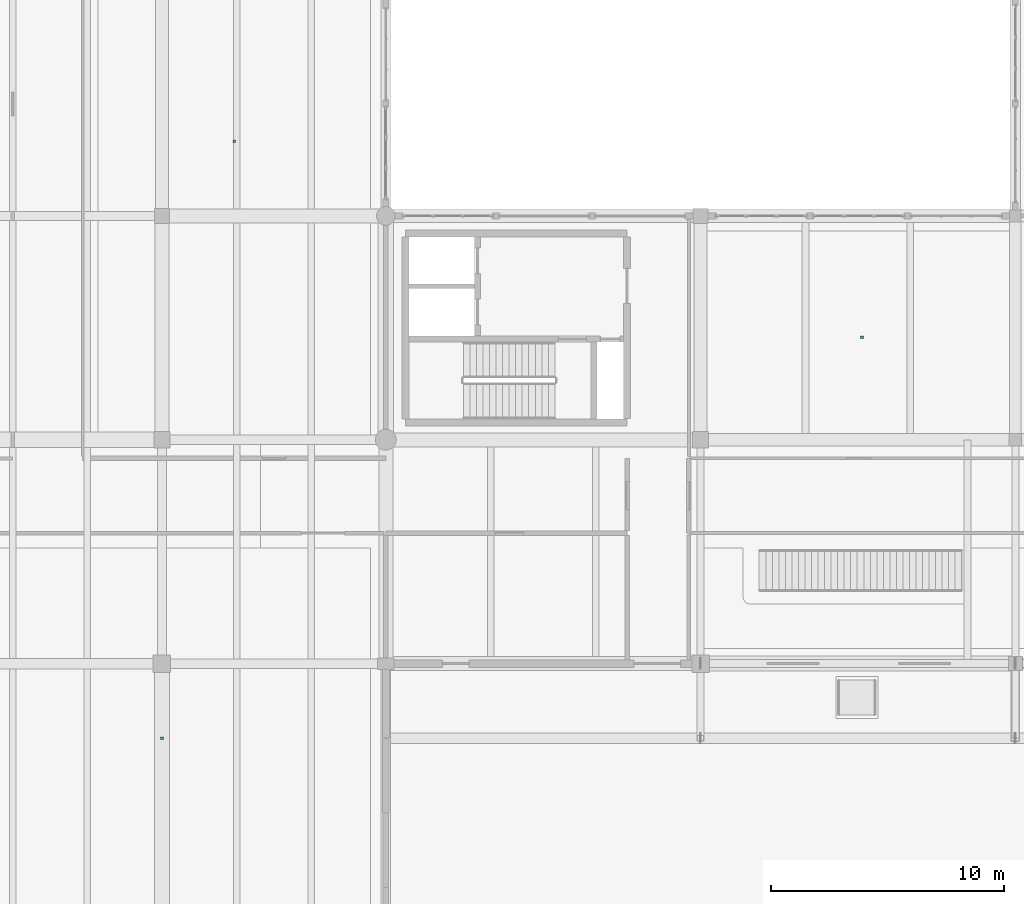
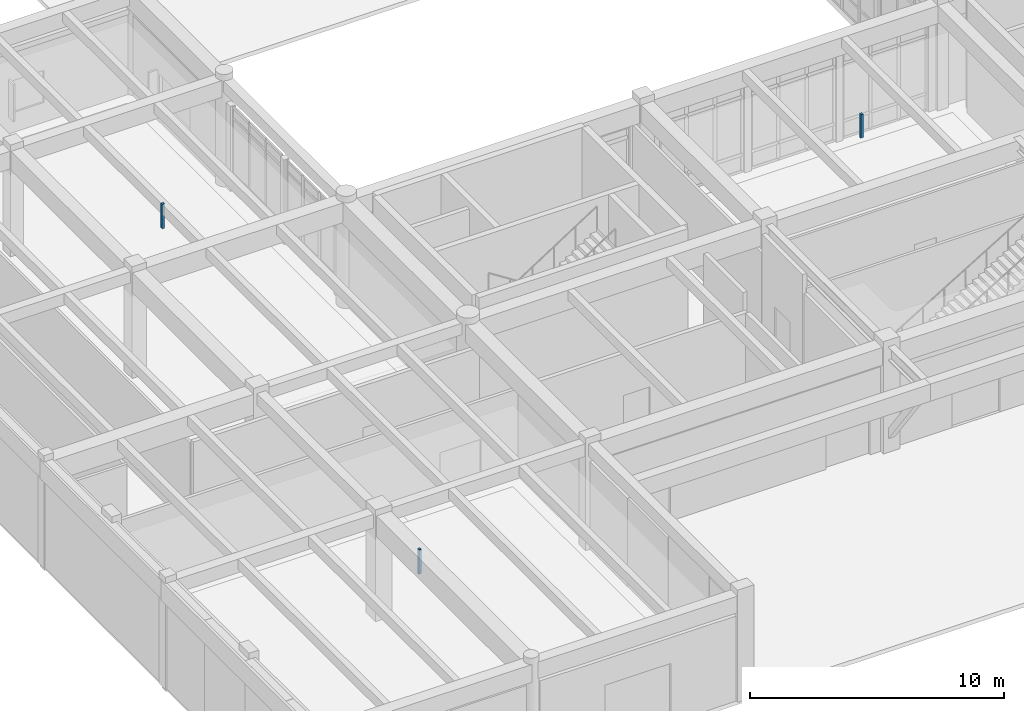
# One storey, part 119 of 138: 3 discrete accessories.
"""IFC4 building model written with IfcOpenShell, lengths in metres."""

from ifc_helpers import new_model, si_unit, direction, frame, origin, origin_2d, place, context, subcontext, project, spatial, rectangle, extrude, material, type_object, element, save


model = new_model("IFC4")

# Units and contexts
model_context = context("Model", 3, precision=1e-05, world=origin(), true_north=direction((0.0, 1.0)))
body_context = subcontext(model_context, "Body", "Model", "MODEL_VIEW")
ifc_project = project(units=[si_unit("LENGTHUNIT", "METRE"), si_unit("AREAUNIT", "SQUARE_METRE"), si_unit("VOLUMEUNIT", "CUBIC_METRE"), si_unit("PLANEANGLEUNIT", "RADIAN"), si_unit("MASSUNIT", "GRAM", prefix="KILO")], contexts=[model_context])

# Site, building, storey
site_placement = place(None, origin())
site = spatial("IfcSite", under=ifc_project, at=site_placement, CompositionType="ELEMENT")
building_placement = place(site_placement, origin())
building = spatial("IfcBuilding", under=site, at=building_placement, Name="Fikremerkos Civic Library", CompositionType="ELEMENT")
storey_placement = place(building_placement, origin())
storey = spatial("IfcBuildingStorey", under=building, at=storey_placement, Name="L00", CompositionType="ELEMENT", Elevation=0.0)

# Discrete accessories
ifc_material = material(Name="Galvanized Steel S275", Category="steel")
discrete_accessory_type = type_object("IfcDiscreteAccessoryType", Name="Ceiling hanger bracket BRK-01", PredefinedType="BRACKET", material=ifc_material)
discrete_accessory_placement = place(storey_placement, frame((39.625, 26.0, 3.969970703125), z_axis=(0.0, 0.0, 1.0), x_axis=(1.0, 0.0, 0.0)))
element("IfcDiscreteAccessory", 1, at=discrete_accessory_placement, inside=storey, type_object=discrete_accessory_type, Name="Acoustic ceiling hanger bracket #20", PredefinedType="BRACKET", context=body_context, shape_type="SweptSolid", body=[
    extrude(rectangle(XDim=0.1201171875, YDim=0.1201171875, at=origin_2d()), origin(), (0.0, 0.0, 1.0), 1.1298828125),
])
for number, where, z_axis, x_axis, name in (
    (2, (9.60009765625, 8.800048828125, 3.93994140625), (0.0, 0.0, 1.0), (1.0, 0.0, 0.0), "Acoustic ceiling hanger bracket #24"),
    (3, (12.699951171875, 34.39990234375, 3.93994140625), (0.0, 0.0, 1.0), (1.0, 0.0, 0.0), "Acoustic ceiling hanger bracket #25"),
):
    element("IfcDiscreteAccessory", number, at=place(storey_placement, frame(where, z_axis=z_axis, x_axis=x_axis)), inside=storey, type_object=discrete_accessory_type, Name=name, PredefinedType="BRACKET", context=body_context, shape_type="SweptSolid", body=[
        extrude(rectangle(XDim=0.1201171875, YDim=0.1201171875, at=origin_2d()), origin(), (0.0, 0.0, 1.0), 1.179931640625),
    ])

save(model, "model.ifc")
